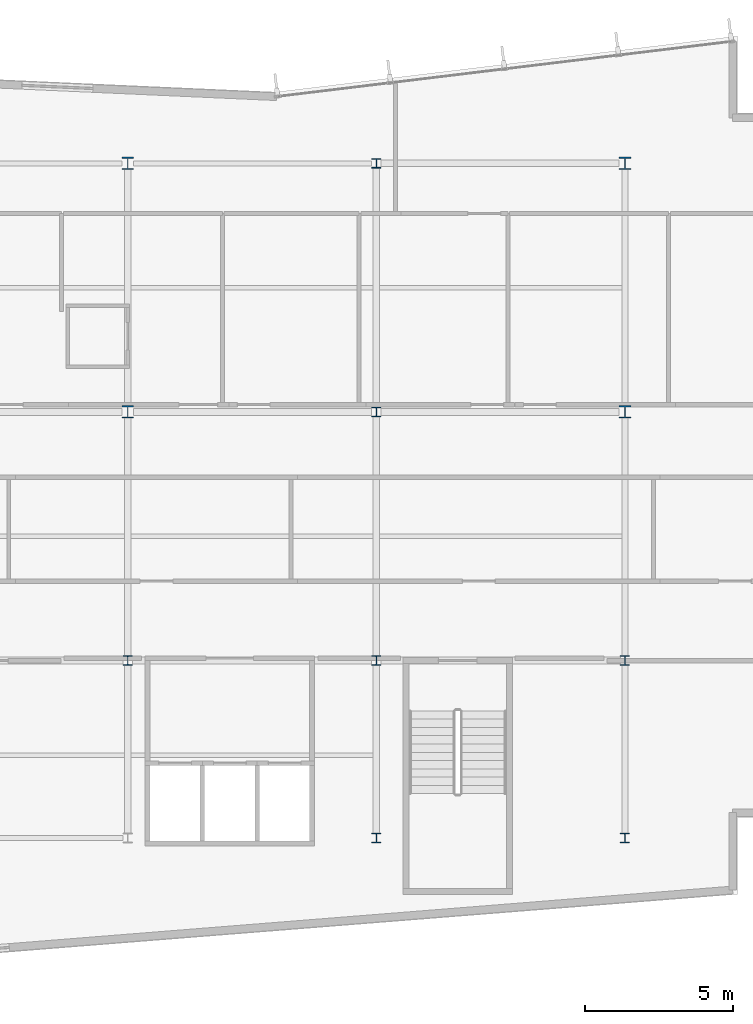
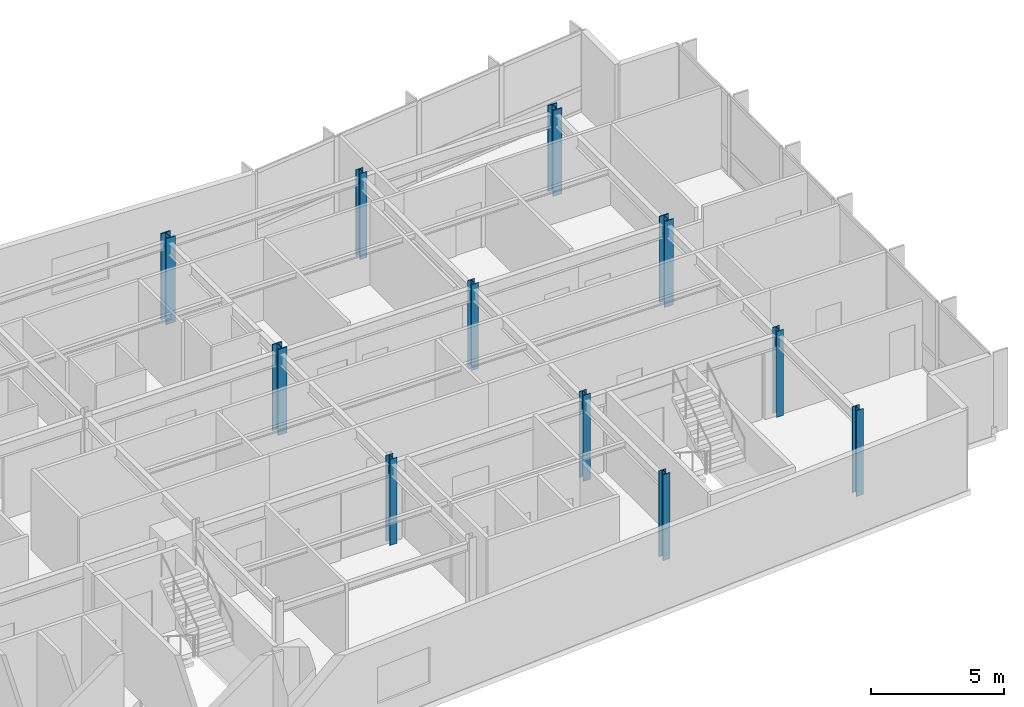
# One storey, part 2 of 18: 11 columns.
"""IFC4 building model written with IfcOpenShell, lengths in metres."""

import ifcopenshell
import ifcopenshell.guid

model = None  # the IFC model being written
_history = None  # IfcOwnerHistory: only IFC2X3 demands one
_inside = {}  # id of a spatial element -> (the spatial element, [elements in it])
_under = {}  # id of a project, library or spatial element -> (it, [spatial elements below it])
_declared = {}  # id of a project -> (the project, [libraries it declares])
_typed = {}  # id of a type object -> (the type object, [elements of that type])
_made_of = {}  # id of a material, layer set ... -> (it, [elements and type objects made of it])


def new_model(schema):
    """Start an empty IFC model of exactly this schema.

    Asked for "IFC4X3", IfcOpenShell would pick the latest addendum, in which some entities
    have other attributes; the version numbers below select the first issue.
    IFC2X3 requires an IfcOwnerHistory on every rooted entity: one is made here for all.
    """
    global model, _history
    if schema == "IFC4X3":
        model = ifcopenshell.file(schema_version=(4, 3, 0, 0))
    else:
        model = ifcopenshell.file(schema=schema)
    _inside.clear()
    _under.clear()
    _declared.clear()
    _typed.clear()
    _made_of.clear()
    _history = None
    if model.schema == "IFC2X3":
        org = make("IfcOrganization", Name="unknown")
        user = make(
            "IfcPersonAndOrganization",
            ThePerson=make("IfcPerson", FamilyName="unknown"),
            TheOrganization=org,
        )
        app = make(
            "IfcApplication",
            ApplicationDeveloper=org,
            Version="unknown",
            ApplicationFullName="unknown",
            ApplicationIdentifier="unknown",
        )
        _history = make(
            "IfcOwnerHistory",
            OwningUser=user,
            OwningApplication=app,
            ChangeAction="ADDED",
            CreationDate=0,
        )
    return model


def make(cls, **values):
    """One entity of the class cls with the attributes given. An attribute that is None is left unset."""
    return model.create_entity(
        cls, **{name: value for name, value in values.items() if value is not None}
    )


def rooted(cls, **values):
    """An entity with a GlobalId (a new one), such as an element, a storey or a relation."""
    return make(cls, GlobalId=ifcopenshell.guid.new(), OwnerHistory=_history, **values)


def si_unit(unit_type, name, prefix=None):
    """IfcSIUnit, for example si_unit("LENGTHUNIT", "METRE", prefix="MILLI")."""
    return make("IfcSIUnit", UnitType=unit_type, Prefix=prefix, Name=name)


def assignment(units):
    """IfcUnitAssignment: the units of a project."""
    return None if units is None else make("IfcUnitAssignment", Units=units)


def point(xyz):
    """IfcCartesianPoint."""
    return None if xyz is None else make("IfcCartesianPoint", Coordinates=xyz)


def direction(xyz):
    """IfcDirection."""
    return None if xyz is None else make("IfcDirection", DirectionRatios=xyz)


def frame(location, z_axis=None, x_axis=None):
    """IfcAxis2Placement3D, a coordinate frame: its origin and axes. An axis left out is left unset."""
    return make(
        "IfcAxis2Placement3D",
        Location=point(location),
        Axis=direction(z_axis),
        RefDirection=direction(x_axis),
    )


def frame_2d(location, x_axis=None):
    """IfcAxis2Placement2D, a coordinate frame in the plane: its origin and x axis."""
    return make(
        "IfcAxis2Placement2D", Location=point(location), RefDirection=direction(x_axis)
    )


def origin():
    """The frame at (0, 0, 0) with its axes left unset."""
    return frame((0.0, 0.0, 0.0))


def origin_2d():
    """The frame at (0, 0) in the plane with its x axis left unset."""
    return frame_2d((0.0, 0.0))


def place(relative_to, where):
    """IfcLocalPlacement: puts the frame where relative to a parent placement (None: the world)."""
    return make(
        "IfcLocalPlacement", PlacementRelTo=relative_to, RelativePlacement=where
    )


def context(
    kind, dimensions, precision=None, world=None, true_north=None, identifier=None
):
    """IfcGeometricRepresentationContext, for example the 3D "Model" context."""
    return make(
        "IfcGeometricRepresentationContext",
        ContextIdentifier=identifier,
        ContextType=kind,
        CoordinateSpaceDimension=dimensions,
        Precision=precision,
        WorldCoordinateSystem=world,
        TrueNorth=true_north,
    )


def subcontext(parent, identifier, kind, view, scale=None):
    """IfcGeometricRepresentationSubContext, for example "Body" below "Model"."""
    return make(
        "IfcGeometricRepresentationSubContext",
        ContextIdentifier=identifier,
        ContextType=kind,
        ParentContext=parent,
        TargetScale=scale,
        TargetView=view,
    )


def project(units=None, contexts=None):
    """IfcProject with its units and contexts."""
    return rooted(
        "IfcProject",
        Name="project",
        RepresentationContexts=contexts,
        UnitsInContext=assignment(units),
    )


def spatial(cls, under=None, at=None, **own):
    """A site, building, storey or space (cls), placed at a placement, below another one or the project."""
    s = rooted(cls, ObjectPlacement=at, **own)
    if under is not None:
        _under.setdefault(under.id(), (under, []))[1].append(s)
    return s


def profile(cls, at=None, kind="AREA", **sizes):
    """A parametric profile (cls). Its sizes go by their IFC names, for example OverallWidth=200.0."""
    return make(cls, ProfileType=kind, Position=at, **sizes)


def i_section(**sizes):
    """IfcIShapeProfileDef."""
    return profile("IfcIShapeProfileDef", **sizes)


def extrude(swept, where, along, depth):
    """IfcExtrudedAreaSolid: the profile swept, set in the frame where, extruded along a direction by depth."""
    return make(
        "IfcExtrudedAreaSolid",
        SweptArea=swept,
        Position=where,
        ExtrudedDirection=direction(along),
        Depth=depth,
    )


def shape(context_of_items, identifier, shape_type, items):
    """IfcShapeRepresentation: the items that make up one representation, for example the "Body"."""
    return make(
        "IfcShapeRepresentation",
        ContextOfItems=context_of_items,
        RepresentationIdentifier=identifier,
        RepresentationType=shape_type,
        Items=items,
    )


def material(Name=None, Category=None):
    """IfcMaterial."""
    return make("IfcMaterial", Name=Name, Category=Category)


def material_profile(
    of_material, cross_section, Name=None, Category=None, Priority=None
):
    """IfcMaterialProfile: a cross section and its material."""
    return make(
        "IfcMaterialProfile",
        Name=Name,
        Material=of_material,
        Profile=cross_section,
        Priority=Priority,
        Category=Category,
    )


def profile_set(profiles, Name=None, composite=None):
    """IfcMaterialProfileSet."""
    return make(
        "IfcMaterialProfileSet",
        Name=Name,
        MaterialProfiles=profiles,
        CompositeProfile=composite,
    )


def made_of(thing, what):
    """Note that an element or type object is made of a material, layer set ...; save() writes the relation."""
    if what is not None:
        _made_of.setdefault(what.id(), (what, []))[1].append(thing)
    return thing


def type_object(cls, material=None, **own):
    """A type object (cls), such as IfcWallType, which elements share."""
    return made_of(rooted(cls, **own), material)


def element(
    cls,
    number,
    at=None,
    inside=None,
    cuts=None,
    type_object=None,
    material=None,
    context=None,
    identifier="Body",
    shape_type=None,
    held_by="IfcProductDefinitionShape",
    body=None,
    shapes=None,
    **own,
):
    """One element of the class cls, such as IfcWall. Its Tag is "e" and its number.

    at: its placement. inside: the storey or other place that contains it. cuts: it is an
    opening in that element (IfcRelVoidsElement). A single representation is given by context,
    identifier, shape_type and body (its items); several are given by shapes. held_by: the class
    of the entity that holds the representations. save() writes the other relations.
    """
    e = rooted(cls, Tag="e%d" % number, ObjectPlacement=at, **own)
    if body is not None:
        shapes = [shape(context, identifier, shape_type, body)]
    if shapes is not None:
        e.Representation = make(held_by, Representations=shapes)
    if inside is not None:
        _inside.setdefault(inside.id(), (inside, []))[1].append(e)
    if cuts is not None:
        rooted(
            "IfcRelVoidsElement", RelatingBuildingElement=cuts, RelatedOpeningElement=e
        )
    if type_object is not None:
        _typed.setdefault(type_object.id(), (type_object, []))[1].append(e)
    return made_of(e, material)


def aggregate(whole, parts):
    """IfcRelAggregates: a whole, such as a stair, and the parts it consists of."""
    return rooted("IfcRelAggregates", RelatingObject=whole, RelatedObjects=parts)


def save(model, path):
    """Write the relations noted so far, then the file.

    IfcRelAggregates (storeys below a building ...), IfcRelContainedInSpatialStructure (elements
    in a storey), IfcRelDefinesByType, IfcRelAssociatesMaterial and IfcRelDeclares: one each for
    every whole, place, type object, material and project.
    """
    for whole, parts in _under.values():
        aggregate(whole, parts)
    for where, things in _inside.values():
        rooted(
            "IfcRelContainedInSpatialStructure",
            RelatedElements=things,
            RelatingStructure=where,
        )
    for kind, things in _typed.values():
        rooted("IfcRelDefinesByType", RelatedObjects=things, RelatingType=kind)
    for what, things in _made_of.values():
        rooted("IfcRelAssociatesMaterial", RelatedObjects=things, RelatingMaterial=what)
    for by, libraries in _declared.values():
        rooted("IfcRelDeclares", RelatingContext=by, RelatedDefinitions=libraries)
    model.write(path)


model = new_model("IFC4")

# Units and contexts
model_context = context("Model", 3, precision=1e-05, world=origin(), true_north=direction((0.0, 1.0)))
body_context = subcontext(model_context, "Body", "Model", "MODEL_VIEW")
ifc_project = project(units=[si_unit("LENGTHUNIT", "METRE"), si_unit("AREAUNIT", "SQUARE_METRE"), si_unit("VOLUMEUNIT", "CUBIC_METRE"), si_unit("PLANEANGLEUNIT", "RADIAN"), si_unit("MASSUNIT", "GRAM", prefix="KILO")], contexts=[model_context])

# Site, building, storey
site_placement = place(None, origin())
site = spatial("IfcSite", under=ifc_project, at=site_placement, CompositionType="ELEMENT")
building_placement = place(site_placement, origin())
building = spatial("IfcBuilding", under=site, at=building_placement, Name="Varnakote Quay Hospital", CompositionType="ELEMENT")
storey_placement = place(building_placement, frame((0.0, 0.0, 119.14990234375)))
storey = spatial("IfcBuildingStorey", under=building, at=storey_placement, Name="L29", CompositionType="ELEMENT", Elevation=119.14990234375)

# Columns
ifc_material_1 = material(Name="Structural steel AS/NZS 3679.1 Grade 350 L0 (fy 340 MPa)", Category="steel")
ifc_material_profile_1 = material_profile(ifc_material_1, i_section(OverallWidth=0.30908203125, OverallDepth=0.321044921875, WebThickness=0.013916015625, FlangeThickness=0.021728515625, FilletRadius=0.0166015625, at=origin_2d()), Name="310UC137")
ifc_profile_set_1 = profile_set([ifc_material_profile_1], Name="Structural steel AS/NZS 3679.1 Grade 350 L0 (fy 340 MPa)")
column_type_1 = type_object("IfcColumnType", Name="COL-STL-310UC137", PredefinedType="COLUMN", material=ifc_profile_set_1)
for number, where, z_axis, x_axis, name in (
    (1, (42.0, 6.0, 0.0), (0.0, 0.0, 1.0), (1.0, 0.0, 0.0), "L29 Structural Column C-42-6"),
    (2, (50.39990234375, 6.0, 0.0), (0.0, 0.0, 1.0), (1.0, 0.0, 0.0), "L29 Structural Column C-50-6"),
    (3, (33.60009765625, 12.0, 0.0), (0.0, 0.0, 1.0), (1.0, 0.0, 0.0), "L29 Structural Column C-34-12"),
    (4, (42.0, 12.0, 0.0), (0.0, 0.0, 1.0), (1.0, 0.0, 0.0), "L29 Structural Column C-42-12"),
    (5, (50.39990234375, 12.0, 0.0), (0.0, 0.0, 1.0), (1.0, 0.0, 0.0), "L29 Structural Column C-50-12"),
    (6, (42.0, 20.39990234375, 0.0), (0.0, 0.0, 1.0), (1.0, 0.0, 0.0), "L29 Structural Column C-42-20"),
    (7, (42.0, 28.800048828125, 0.0), (0.0, 0.0, 1.0), (1.0, 0.0, 0.0), "L29 Structural Column C-42-29"),
):
    element("IfcColumn", number, at=place(storey_placement, frame(where, z_axis=z_axis, x_axis=x_axis)), inside=storey, type_object=column_type_1, Name=name, PredefinedType="COLUMN", context=body_context, shape_type="SweptSolid", body=[
        extrude(i_section(OverallWidth=0.30908203125, OverallDepth=0.321044921875, WebThickness=0.013916015625, FlangeThickness=0.021728515625, FilletRadius=0.0166015625, at=origin_2d()), origin(), (0.0, 0.0, 1.0), 3.9501953125),
    ])
ifc_material_2 = material(Name="Structural steel AS/NZS 3678 Grade 350 (fy 340 MPa)", Category="steel")
ifc_material_profile_2 = material_profile(ifc_material_2, i_section(OverallWidth=0.39990234375, OverallDepth=0.419921875, WebThickness=0.02490234375, FlangeThickness=0.0400390625, at=origin_2d()), Name="400WC328")
ifc_profile_set_2 = profile_set([ifc_material_profile_2], Name="Structural steel AS/NZS 3678 Grade 350 (fy 340 MPa)")
column_type_2 = type_object("IfcColumnType", Name="COL-STL-400WC328", PredefinedType="COLUMN", material=ifc_profile_set_2)
for number, where, z_axis, x_axis, name in (
    (8, (33.60009765625, 20.39990234375, 0.0), (0.0, 0.0, 1.0), (1.0, 0.0, 0.0), "L29 Structural Column C-34-20"),
    (9, (50.39990234375, 20.39990234375, 0.0), (0.0, 0.0, 1.0), (1.0, 0.0, 0.0), "L29 Structural Column C-50-20"),
    (10, (33.60009765625, 28.800048828125, 0.0), (0.0, 0.0, 1.0), (1.0, 0.0, 0.0), "L29 Structural Column C-34-29"),
    (11, (50.39990234375, 28.800048828125, 0.0), (0.0, 0.0, 1.0), (1.0, 0.0, 0.0), "L29 Structural Column C-50-29"),
):
    element("IfcColumn", number, at=place(storey_placement, frame(where, z_axis=z_axis, x_axis=x_axis)), inside=storey, type_object=column_type_2, Name=name, PredefinedType="COLUMN", context=body_context, shape_type="SweptSolid", body=[
        extrude(i_section(OverallWidth=0.39990234375, OverallDepth=0.419921875, WebThickness=0.02490234375, FlangeThickness=0.0400390625, at=origin_2d()), origin(), (0.0, 0.0, 1.0), 3.9501953125),
    ])

save(model, "model.ifc")
